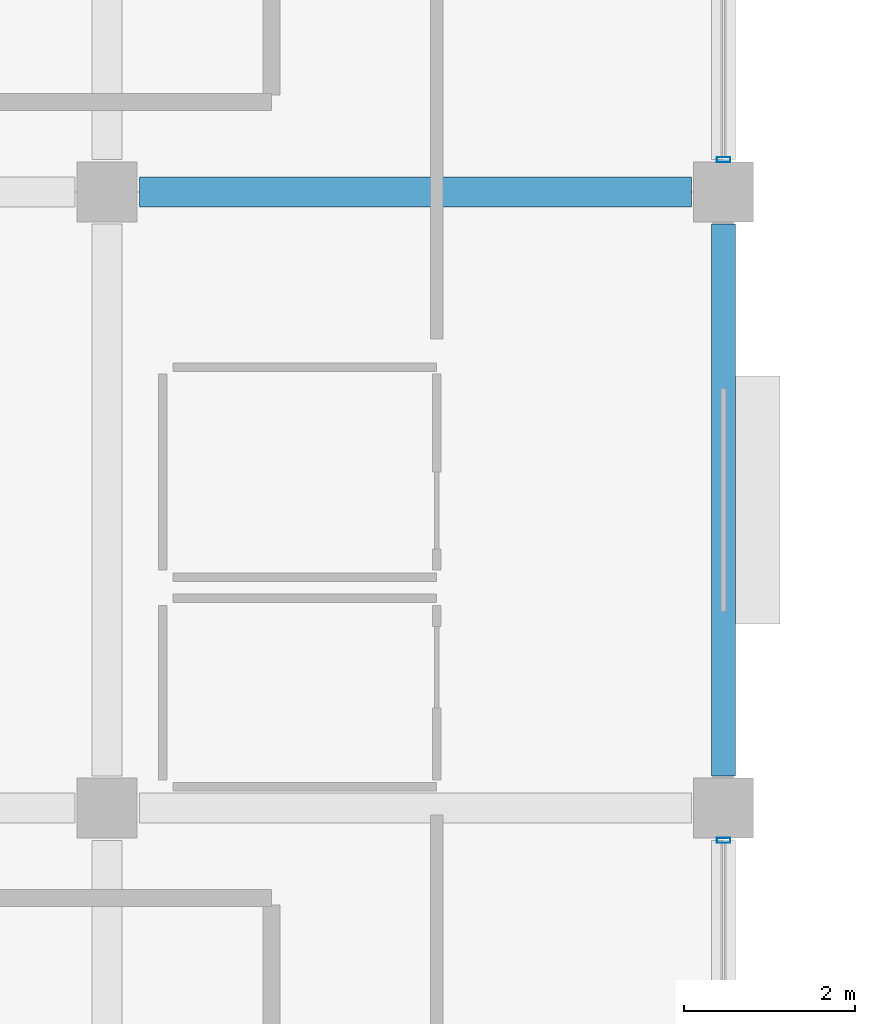
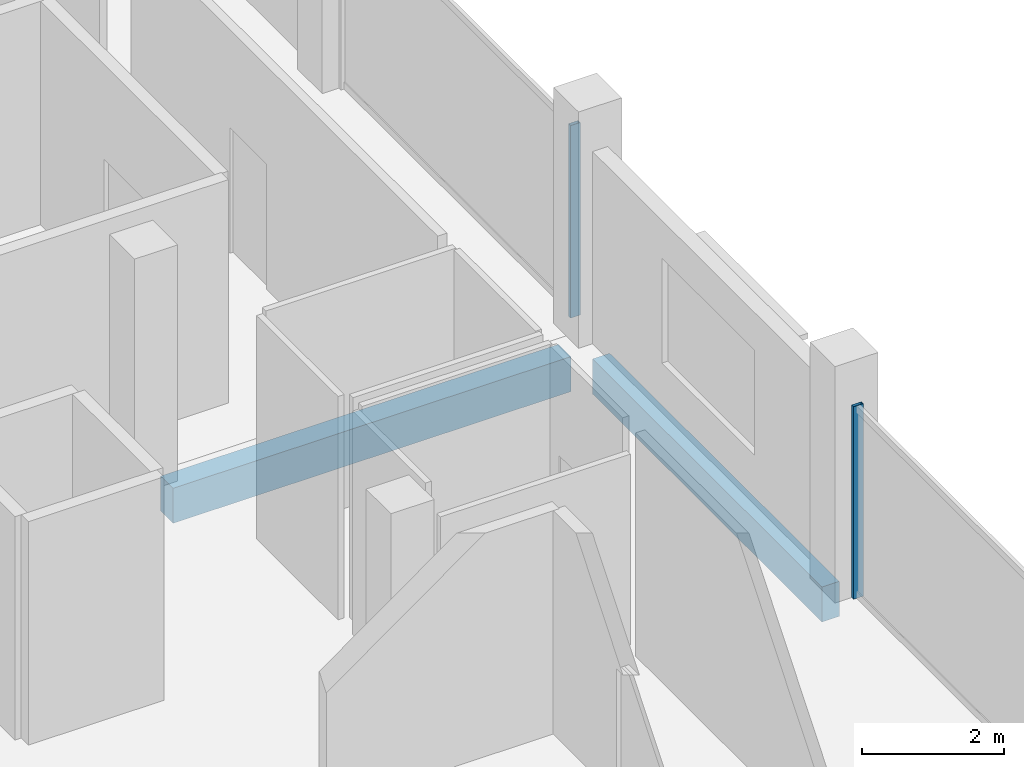
# One storey, part 13 of 77: 2 beams, 2 members, 2 elements without a shape of their own.
"""IFC4 building model written with IfcOpenShell, lengths in metres."""

from ifc_helpers import new_model, si_unit, direction, frame, origin, origin_2d, place, context, subcontext, project, spatial, rectangle, hollow_rectangle, extrude, material, layer, layer_set, material_profile, profile_set, type_object, element, aggregate, save


model = new_model("IFC4")

# Units and contexts
model_context = context("Model", 3, precision=1e-05, world=origin(), true_north=direction((0.0, 1.0)))
body_context = subcontext(model_context, "Body", "Model", "MODEL_VIEW")
ifc_project = project(units=[si_unit("LENGTHUNIT", "METRE"), si_unit("AREAUNIT", "SQUARE_METRE"), si_unit("VOLUMEUNIT", "CUBIC_METRE"), si_unit("PLANEANGLEUNIT", "RADIAN"), si_unit("MASSUNIT", "GRAM", prefix="KILO")], contexts=[model_context])

# Site, building, storey
site_placement = place(None, origin())
site = spatial("IfcSite", under=ifc_project, at=site_placement, CompositionType="ELEMENT")
building_placement = place(site_placement, origin())
building = spatial("IfcBuilding", under=site, at=building_placement, Name="Kangsadwip Square Police Headquarters", CompositionType="ELEMENT")
storey_placement = place(building_placement, frame((0.0, 0.0, 17.550048828125)))
storey = spatial("IfcBuildingStorey", under=building, at=storey_placement, Name="L04", CompositionType="ELEMENT", Elevation=17.550048828125)

# Curtain wall, member
ifc_material_1 = material(Name="Thermally broken anodised aluminium AW-6063-T6", Category="aluminium")
ifc_layer = layer(ifc_material_1, 0.159912109375)
ifc_layer_set = layer_set([ifc_layer], Name="Thermally broken anodised aluminium AW-6063-T6")
curtain_wall_type = type_object("IfcCurtainWallType", Name="CourtScreen6510x3300", PredefinedType="USERDEFINED", material=ifc_layer_set)
curtain_wall_1_placement = place(storey_placement, origin())
curtain_wall_1 = element("IfcCurtainWall", 1, at=curtain_wall_1_placement, inside=storey, type_object=curtain_wall_type, Name="Curtain Wall CW-L04-0216-0507", ObjectType="GLAZED_SCREEN", PredefinedType="USERDEFINED")
ifc_material_2 = material(Name="Thermally broken anodised aluminium AW-6063-T6", Category="aluminium")
ifc_material_profile_1 = material_profile(ifc_material_2, hollow_rectangle(XDim=0.06005859375, YDim=0.159912109375, WallThickness=0.00390625, at=origin_2d()), Name="CWM 160X60X4")
ifc_profile_set_1 = profile_set([ifc_material_profile_1], Name="Thermally broken anodised aluminium AW-6063-T6")
member_type = type_object("IfcMemberType", Name="CwMullion135x60", PredefinedType="MULLION", material=ifc_profile_set_1)
member_1_placement = place(storey_placement, frame((21.60009765625, 57.22509765625, 0.0), z_axis=(0.0, 0.0, 1.0), x_axis=(0.0, 1.0, 0.0)))
member_1 = element("IfcMember", 2, at=member_1_placement, type_object=member_type, Name="CW-46 mullion 2", PredefinedType="MULLION", context=body_context, shape_type="SweptSolid", body=[
    extrude(hollow_rectangle(XDim=0.06005859375, YDim=0.159912109375, WallThickness=0.00390625, at=origin_2d()), origin(), (0.0, 0.0, 1.0), 3.300048828125),
])
aggregate(curtain_wall_1, [member_1])

curtain_wall_2_placement = place(storey_placement, origin())
curtain_wall_2 = element("IfcCurtainWall", 3, at=curtain_wall_2_placement, inside=storey, type_object=curtain_wall_type, Name="Curtain Wall CW-L04-0216-0651", ObjectType="GLAZED_SCREEN", PredefinedType="USERDEFINED")
member_2_placement = place(storey_placement, frame((21.60009765625, 65.175048828125, 0.0), z_axis=(0.0, 0.0, 1.0), x_axis=(0.0, 1.0, 0.0)))
member_2 = element("IfcMember", 4, at=member_2_placement, type_object=member_type, Name="CW-46 mullion 1", PredefinedType="MULLION", context=body_context, shape_type="SweptSolid", body=[
    extrude(hollow_rectangle(XDim=0.06005859375, YDim=0.159912109375, WallThickness=0.00390625, at=origin_2d()), origin(), (0.0, 0.0, 1.0), 3.300048828125),
])
aggregate(curtain_wall_2, [member_2])

# Beams
ifc_material_3 = material(Name="Concrete M35 (35 MPa)", Category="concrete")
ifc_material_profile_2 = material_profile(ifc_material_3, rectangle(XDim=0.35009765625, YDim=0.60009765625, at=origin_2d()), Name="RC BM 600X350")
ifc_profile_set_2 = profile_set([ifc_material_profile_2], Name="Concrete M35 (35 MPa)")
beam_type_1 = type_object("IfcBeamType", Name="RcBeam600x350", PredefinedType="BEAM", material=ifc_profile_set_2)
beam_1_placement = place(storey_placement, frame((14.77490234375, 64.800048828125, -0.5400390625), z_axis=(1.0, 0.0, 0.0), x_axis=(0.0, 1.0, 0.0)))
element("IfcBeam", 5, at=beam_1_placement, inside=storey, type_object=beam_type_1, Name="Beam BM-L04-X-02-09", PredefinedType="BEAM", context=body_context, shape_type="SweptSolid", body=[
    extrude(rectangle(XDim=0.35009765625, YDim=0.60009765625, at=origin_2d()), origin(), (0.0, 0.0, 1.0), 6.4501953125),
])
ifc_material_4 = material(Name="Concrete M40 (40 MPa)", Category="concrete")
ifc_material_profile_3 = material_profile(ifc_material_4, rectangle(XDim=0.280029296875, YDim=0.60009765625, at=origin_2d()), Name="RC SPN 600X280")
ifc_profile_set_3 = profile_set([ifc_material_profile_3], Name="Concrete M40 (40 MPa)")
beam_type_2 = type_object("IfcBeamType", Name="RcSpandrel600x280", PredefinedType="SPANDREL", material=ifc_profile_set_3)
beam_2_placement = place(storey_placement, frame((21.60009765625, 57.97509765625, -0.5400390625), z_axis=(0.0, 1.0, 0.0), x_axis=(-1.0, 0.0, 0.0)))
element("IfcBeam", 6, at=beam_2_placement, inside=storey, type_object=beam_type_2, Name="Beam BM-L04-Y-03-08", PredefinedType="SPANDREL", context=body_context, shape_type="SweptSolid", body=[
    extrude(rectangle(XDim=0.280029296875, YDim=0.60009765625, at=origin_2d()), origin(), (0.0, 0.0, 1.0), 6.449951171875),
])

save(model, "model.ifc")
